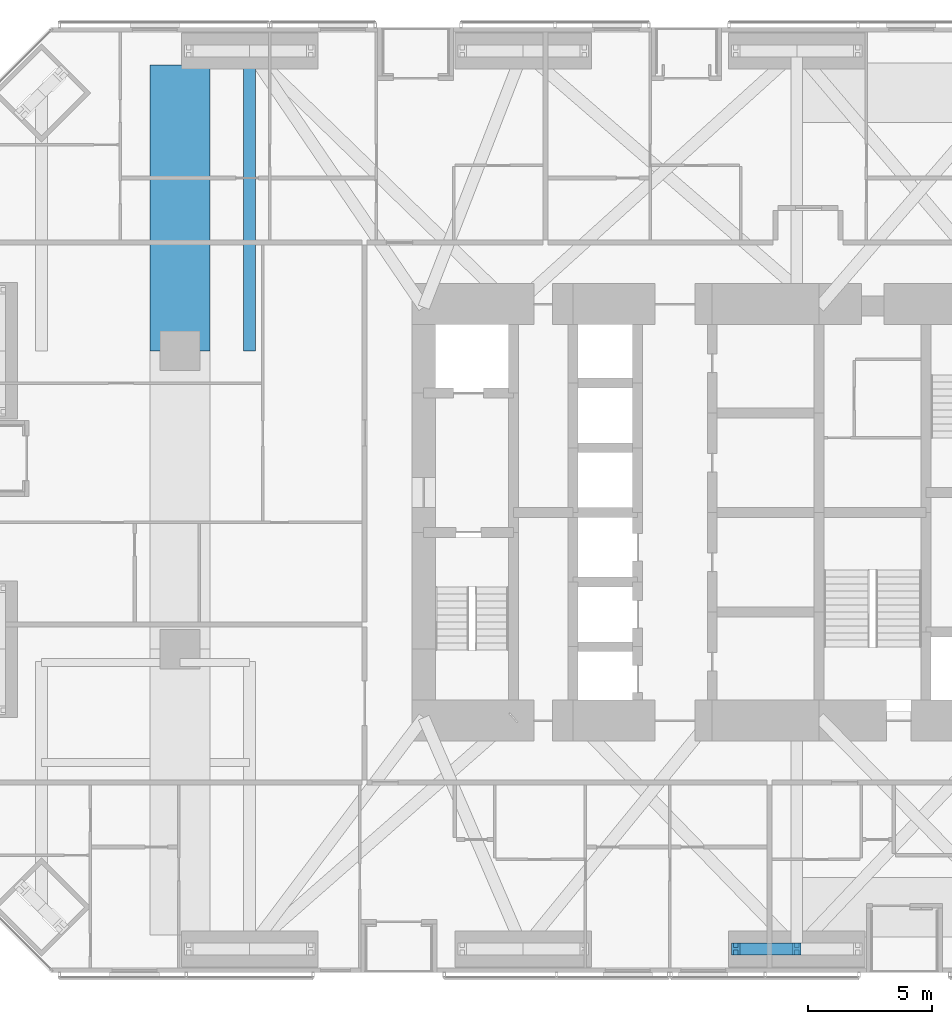
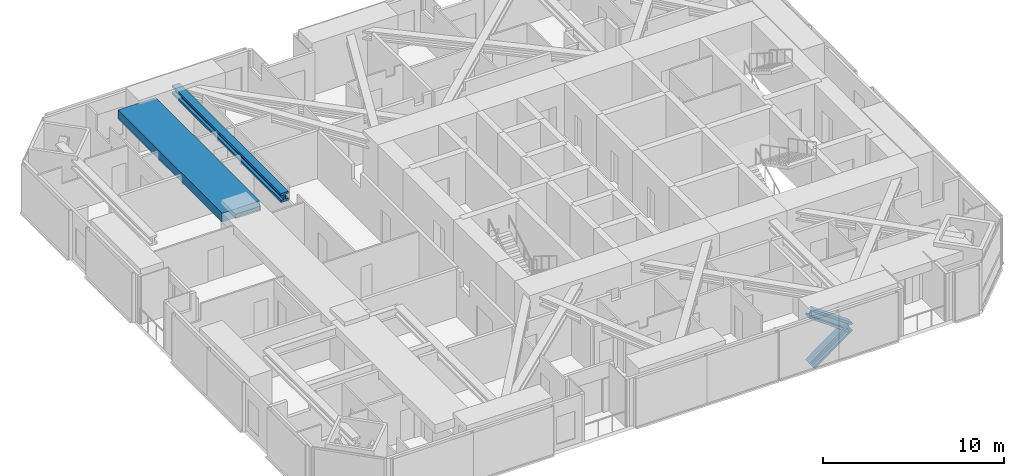
# One storey, part 7 of 22: 2 beams, 2 members.
"""IFC4 building model written with IfcOpenShell, lengths in metres."""

from ifc_helpers import new_model, si_unit, direction, frame, origin, origin_2d, place, context, subcontext, project, spatial, rectangle, i_section, extrude, material, material_profile, profile_set, type_object, element, save


model = new_model("IFC4")

# Units and contexts
model_context = context("Model", 3, precision=1e-05, world=origin(), true_north=direction((0.0, 1.0)))
body_context = subcontext(model_context, "Body", "Model", "MODEL_VIEW")
ifc_project = project(units=[si_unit("LENGTHUNIT", "METRE"), si_unit("AREAUNIT", "SQUARE_METRE"), si_unit("VOLUMEUNIT", "CUBIC_METRE"), si_unit("PLANEANGLEUNIT", "RADIAN"), si_unit("MASSUNIT", "GRAM", prefix="KILO")], contexts=[model_context])

# Site, building, storey
site_placement = place(None, origin())
site = spatial("IfcSite", under=ifc_project, at=site_placement, CompositionType="ELEMENT")
building_placement = place(site_placement, origin())
building = spatial("IfcBuilding", under=site, at=building_placement, Name="Jalousie Tower", CompositionType="ELEMENT")
storey_placement = place(building_placement, frame((0.0, 0.0, 71.25)))
storey = spatial("IfcBuildingStorey", under=building, at=storey_placement, Name="L19", CompositionType="ELEMENT", Elevation=71.25)

# Beam
ifc_material_1 = material(Name="Steel ASTM A992 Grade 50", Category="steel")
ifc_material_profile_1 = material_profile(ifc_material_1, i_section(OverallWidth=0.4775390625, OverallDepth=0.599365234375, WebThickness=0.10009765625, FlangeThickness=0.139892578125, at=origin_2d()), Name="W14X873")
ifc_profile_set_1 = profile_set([ifc_material_profile_1], Name="Steel ASTM A992 Grade 50")
beam_type_1 = type_object("IfcBeamType", Name="KINK TIE W14X873", PredefinedType="BEAM", material=ifc_profile_set_1)
beam_1_placement = place(storey_placement, frame((13.0, 37.050048828125, 2.92041015625), z_axis=(0.0, -1.0, 0.0), x_axis=(1.0, 0.0, 0.0)))
element("IfcBeam", 1, at=beam_1_placement, inside=storey, type_object=beam_type_1, Name="Kink tie under L20", PredefinedType="BEAM", context=body_context, shape_type="SweptSolid", body=[
    extrude(i_section(OverallWidth=0.4775390625, OverallDepth=0.599365234375, WebThickness=0.10009765625, FlangeThickness=0.139892578125, at=origin_2d()), origin(), (0.0, 0.0, 1.0), 12.050048828125),
])

# Members
ifc_material_2 = material(Name="Steel ASTM A992 Grade 50", Category="steel")
ifc_material_profile_2 = material_profile(ifc_material_2, i_section(OverallWidth=0.472412109375, OverallDepth=0.5791015625, WebThickness=0.094970703125, FlangeThickness=0.1298828125, at=origin_2d()), Name="W14X808")
ifc_profile_set_2 = profile_set([ifc_material_profile_2], Name="Steel ASTM A992 Grade 50")
member_type = type_object("IfcMemberType", Name="PERIMETER BRACE W14X808", PredefinedType="BRACE", material=ifc_profile_set_2)
for number, where, z_axis, x_axis, name in (
    (2, (32.550048828125, 0.949951171875, -0.60009765625), (0.813727992185, 0.0, 0.581245864273), (0.0, 1.0, 0.0), "Perimeter brace 04 L19 part 1"),
    (3, (35.0, 0.949951171875, 1.14990234375), (-0.813727992185, 0.0, 0.581245864273), (0.0, -1.0, 0.0), "Perimeter brace 04 L19 part 4"),
):
    element("IfcMember", number, at=place(storey_placement, frame(where, z_axis=z_axis, x_axis=x_axis)), inside=storey, type_object=member_type, Name=name, PredefinedType="BRACE", context=body_context, shape_type="SweptSolid", body=[
        extrude(i_section(OverallWidth=0.472412109375, OverallDepth=0.5791015625, WebThickness=0.094970703125, FlangeThickness=0.1298828125, at=origin_2d()), origin(), (0.0, 0.0, 1.0), 3.0107421875),
    ])

# Beam
ifc_material_3 = material(Name="Concrete f'c 40 MPa", Category="concrete")
ifc_material_profile_3 = material_profile(ifc_material_3, rectangle(XDim=2.39990234375, YDim=0.60009765625, at=origin_2d()), Name="RC 2400x600")
ifc_profile_set_3 = profile_set([ifc_material_profile_3], Name="Concrete f'c 40 MPa")
beam_type_2 = type_object("IfcBeamType", Name="RC BEAM 2400x600", PredefinedType="BEAM", material=ifc_profile_set_3)
beam_2_placement = place(storey_placement, frame((10.199951171875, 25.0, 2.919921875), z_axis=(0.0, 1.0, 0.0), x_axis=(-1.0, 0.0, 0.0)))
element("IfcBeam", 4, at=beam_2_placement, inside=storey, type_object=beam_type_2, Name="Floor band beam under L20", PredefinedType="BEAM", context=body_context, shape_type="SweptSolid", body=[
    extrude(rectangle(XDim=2.39990234375, YDim=0.60009765625, at=origin_2d()), origin(), (0.0, 0.0, 1.0), 11.4873046875),
])

save(model, "model.ifc")
